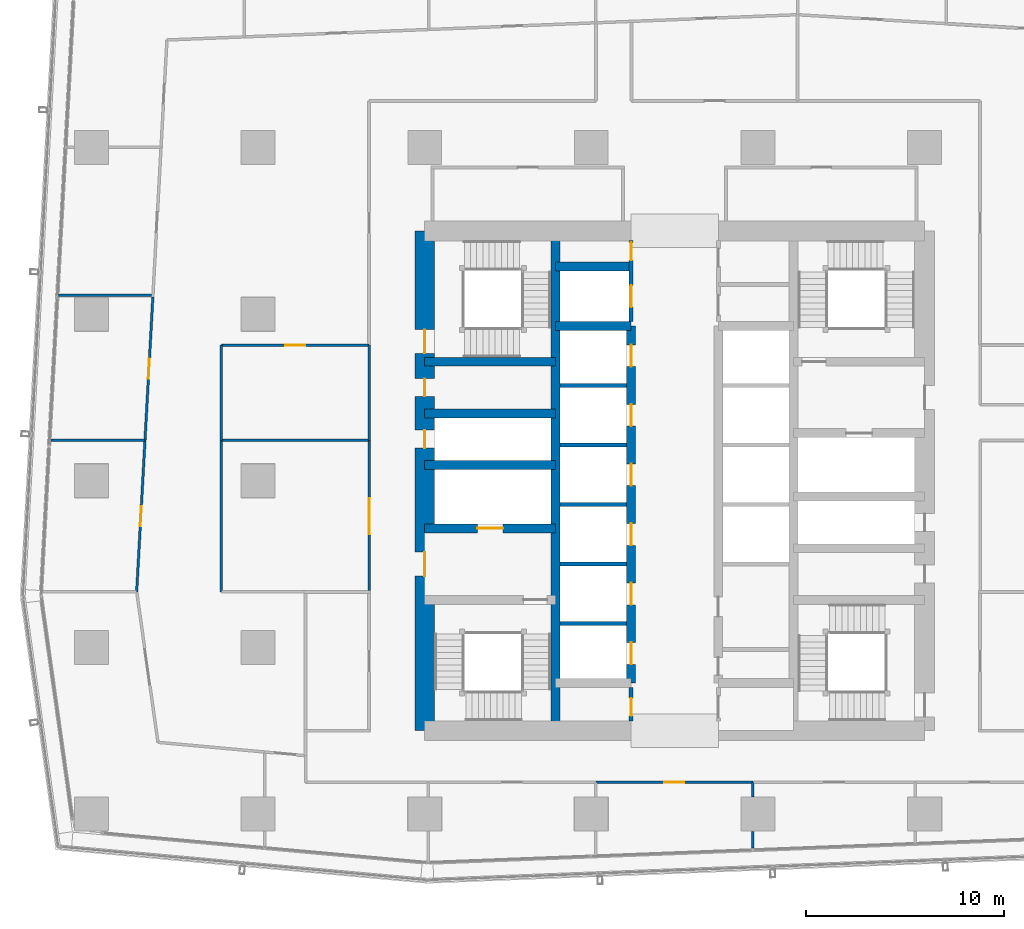
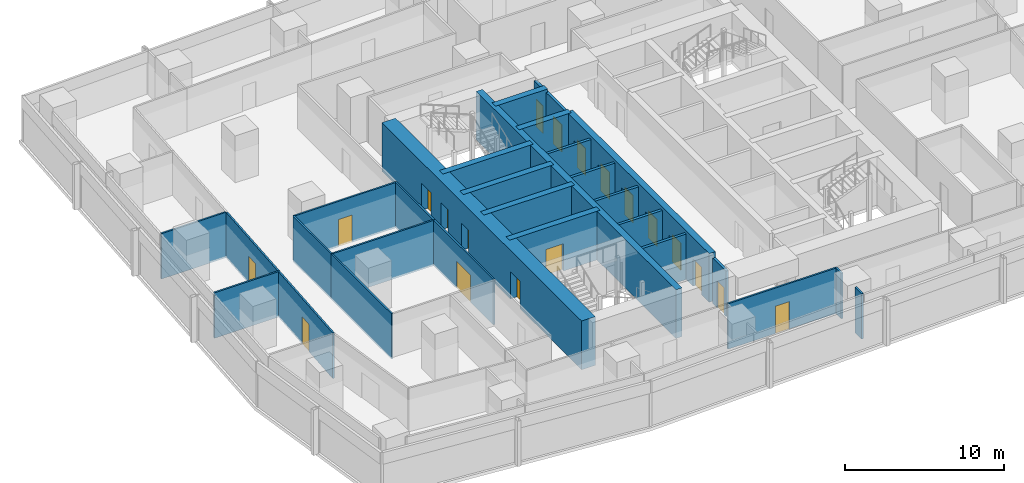
# One storey, part 29 of 40: 29 walls, 19 doors, 19 openings.
"""IFC4 building model written with IfcOpenShell, lengths in metres."""

from ifc_helpers import new_model, si_unit, direction, frame, frame_2d, origin, place, context, subcontext, project, spatial, rectangle, extrude, material, layer, layer_set, type_object, element, fill, save


model = new_model("IFC4")

# Units and contexts
model_context = context("Model", 3, precision=1e-05, world=origin(), true_north=direction((0.0, 1.0)))
body_context = subcontext(model_context, "Body", "Model", "MODEL_VIEW")
ifc_project = project(units=[si_unit("LENGTHUNIT", "METRE"), si_unit("AREAUNIT", "SQUARE_METRE"), si_unit("VOLUMEUNIT", "CUBIC_METRE"), si_unit("PLANEANGLEUNIT", "RADIAN"), si_unit("MASSUNIT", "GRAM", prefix="KILO")], contexts=[model_context])

# Site, building, storey
site_placement = place(None, origin())
site = spatial("IfcSite", under=ifc_project, at=site_placement, CompositionType="ELEMENT")
building_placement = place(site_placement, origin())
building = spatial("IfcBuilding", under=site, at=building_placement, Name="Rekha Terrace Tower", CompositionType="ELEMENT")
storey_placement = place(building_placement, frame((0.0, 0.0, 117.800048828125)))
storey = spatial("IfcBuildingStorey", under=building, at=storey_placement, Name="L29", CompositionType="ELEMENT", Elevation=117.800048828125)

# Wall
ifc_material_1 = material(Name="Concrete M70", Category="concrete")
ifc_layer_1 = layer(ifc_material_1, 0.449951171875)
ifc_layer_set_1 = layer_set([ifc_layer_1], Name="Concrete M70")
wall_type_1 = type_object("IfcWallType", Name="CI2 450 core internal shear wall", PredefinedType="SHEAR", material=ifc_layer_set_1)
wall_1_placement = place(storey_placement, frame((31.800048828125, 21.0, 0.0), z_axis=(0.0, 0.0, 1.0), x_axis=(0.0, 1.0, 0.0)))
element("IfcWall", 1, at=wall_1_placement, inside=storey, type_object=wall_type_1, Name="Core wall X318 L29", PredefinedType="SHEAR", context=body_context, shape_type="SweptSolid", body=[
    extrude(rectangle(XDim=25.199951171875, YDim=0.449951171875, at=frame_2d((12.60009765625, 0.0))), origin(), (0.0, 0.0, 1.0), 3.75),
])

# Wall, openings, doors
wall_2_placement = place(storey_placement, frame((35.60009765625, 23.39990234375, 0.0), z_axis=(0.0, 0.0, 1.0), x_axis=(0.0, 1.0, 0.0)))
wall_2 = element("IfcWall", 2, at=wall_2_placement, inside=storey, type_object=wall_type_1, Name="Core wall X356 L29", PredefinedType="SHEAR", context=body_context, shape_type="SweptSolid", body=[
    extrude(rectangle(XDim=18.0, YDim=0.449951171875, at=frame_2d((9.0, 0.0))), origin(), (0.0, 0.0, 1.0), 3.75),
])
opening_1_placement = place(wall_2_placement, frame((0.949951171875, 0.0, 0.0)))
opening_1 = element("IfcOpeningElement", 3, at=opening_1_placement, cuts=wall_2, Name="Opening LD1", PredefinedType="OPENING", context=body_context, shape_type="SweptSolid", body=[
    extrude(rectangle(XDim=1.10009765625, YDim=2.10009765625, at=frame_2d((0.550048828125, 1.050048828125))), frame((0.0, 0.23486328125, 0.0), z_axis=(0.0, -1.0, 0.0), x_axis=(1.0, 0.0, 0.0)), (0.0, 0.0, 1.0), 0.469970703125),
])
opening_2_placement = place(wall_2_placement, frame((3.949951171875, 0.0, 0.0)))
opening_2 = element("IfcOpeningElement", 4, at=opening_2_placement, cuts=wall_2, Name="Opening LD1", PredefinedType="OPENING", context=body_context, shape_type="SweptSolid", body=[
    extrude(rectangle(XDim=1.10009765625, YDim=2.10009765625, at=frame_2d((0.550048828125, 1.050048828125))), frame((0.0, 0.23486328125, 0.0), z_axis=(0.0, -1.0, 0.0), x_axis=(1.0, 0.0, 0.0)), (0.0, 0.0, 1.0), 0.469970703125),
])
opening_3_placement = place(wall_2_placement, frame((6.949951171875, 0.0, 0.0)))
opening_3 = element("IfcOpeningElement", 5, at=opening_3_placement, cuts=wall_2, Name="Opening LD1", PredefinedType="OPENING", context=body_context, shape_type="SweptSolid", body=[
    extrude(rectangle(XDim=1.10009765625, YDim=2.10009765625, at=frame_2d((0.550048828125, 1.050048828125))), frame((0.0, 0.23486328125, 0.0), z_axis=(0.0, -1.0, 0.0), x_axis=(1.0, 0.0, 0.0)), (0.0, 0.0, 1.0), 0.469970703125),
])
opening_4_placement = place(wall_2_placement, frame((9.949951171875, 0.0, 0.0)))
opening_4 = element("IfcOpeningElement", 6, at=opening_4_placement, cuts=wall_2, Name="Opening LD1", PredefinedType="OPENING", context=body_context, shape_type="SweptSolid", body=[
    extrude(rectangle(XDim=1.10009765625, YDim=2.10009765625, at=frame_2d((0.550048828125, 1.050048828125))), frame((0.0, 0.23486328125, 0.0), z_axis=(0.0, -1.0, 0.0), x_axis=(1.0, 0.0, 0.0)), (0.0, 0.0, 1.0), 0.469970703125),
])
opening_5_placement = place(wall_2_placement, frame((12.949951171875, 0.0, 0.0)))
opening_5 = element("IfcOpeningElement", 7, at=opening_5_placement, cuts=wall_2, Name="Opening LD1", PredefinedType="OPENING", context=body_context, shape_type="SweptSolid", body=[
    extrude(rectangle(XDim=1.10009765625, YDim=2.10009765625, at=frame_2d((0.550048828125, 1.050048828125))), frame((0.0, 0.23486328125, 0.0), z_axis=(0.0, -1.0, 0.0), x_axis=(1.0, 0.0, 0.0)), (0.0, 0.0, 1.0), 0.469970703125),
])
opening_6_placement = place(wall_2_placement, frame((15.949951171875, 0.0, 0.0)))
opening_6 = element("IfcOpeningElement", 8, at=opening_6_placement, cuts=wall_2, Name="Opening LD1", PredefinedType="OPENING", context=body_context, shape_type="SweptSolid", body=[
    extrude(rectangle(XDim=1.10009765625, YDim=2.10009765625, at=frame_2d((0.550048828125, 1.050048828125))), frame((0.0, 0.23486328125, 0.0), z_axis=(0.0, -1.0, 0.0), x_axis=(1.0, 0.0, 0.0)), (0.0, 0.0, 1.0), 0.469970703125),
])
ifc_material_2 = material(Name="Stainless steel sliding landing door", Category="steel")
door_type_1 = type_object("IfcDoorType", Name="LD1 1100x2100 lift landing door", OperationType="SLIDING_TO_LEFT", PredefinedType="USERDEFINED", material=ifc_material_2)
door_1_placement = place(opening_1_placement, origin())
door_1 = element("IfcDoor", 9, at=door_1_placement, inside=storey, type_object=door_type_1, Name="Lift B1 landing door L29", ObjectType="LIFT LANDING DOOR", OperationType="SLIDING_TO_LEFT", OverallHeight=2.10009765625, OverallWidth=1.10009765625, PredefinedType="USERDEFINED", context=body_context, shape_type="SweptSolid", body=[
    extrude(rectangle(XDim=1.10009765625, YDim=2.10009765625, at=frame_2d((0.550048828125, 1.050048828125))), frame((0.0, 0.02490234375, 0.0), z_axis=(0.0, -1.0, 0.0), x_axis=(1.0, 0.0, 0.0)), (0.0, 0.0, 1.0), 0.050048828125),
])
fill(opening_1, door_1)
door_2_placement = place(opening_2_placement, origin())
door_2 = element("IfcDoor", 10, at=door_2_placement, inside=storey, type_object=door_type_1, Name="Lift B2 landing door L29", ObjectType="LIFT LANDING DOOR", OperationType="SLIDING_TO_LEFT", OverallHeight=2.10009765625, OverallWidth=1.10009765625, PredefinedType="USERDEFINED", context=body_context, shape_type="SweptSolid", body=[
    extrude(rectangle(XDim=1.10009765625, YDim=2.10009765625, at=frame_2d((0.550048828125, 1.050048828125))), frame((0.0, 0.02490234375, 0.0), z_axis=(0.0, -1.0, 0.0), x_axis=(1.0, 0.0, 0.0)), (0.0, 0.0, 1.0), 0.050048828125),
])
fill(opening_2, door_2)
door_3_placement = place(opening_3_placement, origin())
door_3 = element("IfcDoor", 11, at=door_3_placement, inside=storey, type_object=door_type_1, Name="Lift B3 landing door L29", ObjectType="LIFT LANDING DOOR", OperationType="SLIDING_TO_LEFT", OverallHeight=2.10009765625, OverallWidth=1.10009765625, PredefinedType="USERDEFINED", context=body_context, shape_type="SweptSolid", body=[
    extrude(rectangle(XDim=1.10009765625, YDim=2.10009765625, at=frame_2d((0.550048828125, 1.050048828125))), frame((0.0, 0.02490234375, 0.0), z_axis=(0.0, -1.0, 0.0), x_axis=(1.0, 0.0, 0.0)), (0.0, 0.0, 1.0), 0.050048828125),
])
fill(opening_3, door_3)
door_4_placement = place(opening_4_placement, origin())
door_4 = element("IfcDoor", 12, at=door_4_placement, inside=storey, type_object=door_type_1, Name="Lift B4 landing door L29", ObjectType="LIFT LANDING DOOR", OperationType="SLIDING_TO_LEFT", OverallHeight=2.10009765625, OverallWidth=1.10009765625, PredefinedType="USERDEFINED", context=body_context, shape_type="SweptSolid", body=[
    extrude(rectangle(XDim=1.10009765625, YDim=2.10009765625, at=frame_2d((0.550048828125, 1.050048828125))), frame((0.0, 0.02490234375, 0.0), z_axis=(0.0, -1.0, 0.0), x_axis=(1.0, 0.0, 0.0)), (0.0, 0.0, 1.0), 0.050048828125),
])
fill(opening_4, door_4)
door_5_placement = place(opening_5_placement, origin())
door_5 = element("IfcDoor", 13, at=door_5_placement, inside=storey, type_object=door_type_1, Name="Lift B5 landing door L29", ObjectType="LIFT LANDING DOOR", OperationType="SLIDING_TO_LEFT", OverallHeight=2.10009765625, OverallWidth=1.10009765625, PredefinedType="USERDEFINED", context=body_context, shape_type="SweptSolid", body=[
    extrude(rectangle(XDim=1.10009765625, YDim=2.10009765625, at=frame_2d((0.550048828125, 1.050048828125))), frame((0.0, 0.02490234375, 0.0), z_axis=(0.0, -1.0, 0.0), x_axis=(1.0, 0.0, 0.0)), (0.0, 0.0, 1.0), 0.050048828125),
])
fill(opening_5, door_5)
door_6_placement = place(opening_6_placement, origin())
door_6 = element("IfcDoor", 14, at=door_6_placement, inside=storey, type_object=door_type_1, Name="Lift B6 landing door L29", ObjectType="LIFT LANDING DOOR", OperationType="SLIDING_TO_LEFT", OverallHeight=2.10009765625, OverallWidth=1.10009765625, PredefinedType="USERDEFINED", context=body_context, shape_type="SweptSolid", body=[
    extrude(rectangle(XDim=1.10009765625, YDim=2.10009765625, at=frame_2d((0.550048828125, 1.050048828125))), frame((0.0, 0.02490234375, 0.0), z_axis=(0.0, -1.0, 0.0), x_axis=(1.0, 0.0, 0.0)), (0.0, 0.0, 1.0), 0.050048828125),
])
fill(opening_6, door_6)

# Walls
for number, where, z_axis, x_axis, name in (
    (15, (31.800048828125, 41.39990234375, 0.0), (0.0, 0.0, 1.0), (1.0, 0.0, 0.0), "Core wall Y414W L29"),
    (16, (31.800048828125, 44.39990234375, 0.0), (0.0, 0.0, 1.0), (1.0, 0.0, 0.0), "Core wall Y444W L29"),
):
    element("IfcWall", number, at=place(storey_placement, frame(where, z_axis=z_axis, x_axis=x_axis)), inside=storey, type_object=wall_type_1, Name=name, PredefinedType="SHEAR", context=body_context, shape_type="SweptSolid", body=[
        extrude(rectangle(XDim=3.800048828125, YDim=0.449951171875, at=frame_2d((1.89990234375, 0.0))), origin(), (0.0, 0.0, 1.0), 3.75),
    ])

# Wall, opening, door
wall_3_placement = place(storey_placement, frame((25.199951171875, 31.199951171875, 0.0), z_axis=(0.0, 0.0, 1.0), x_axis=(1.0, 0.0, 0.0)))
wall_3 = element("IfcWall", 17, at=wall_3_placement, inside=storey, type_object=wall_type_1, Name="Core wall Y312W L29", PredefinedType="SHEAR", context=body_context, shape_type="SweptSolid", body=[
    extrude(rectangle(XDim=6.60009765625, YDim=0.449951171875, at=frame_2d((3.300048828125, 0.0))), origin(), (0.0, 0.0, 1.0), 3.75),
])
opening_7_placement = place(wall_3_placement, frame((2.64990234375, 0.0, 0.0)))
opening_7 = element("IfcOpeningElement", 18, at=opening_7_placement, cuts=wall_3, Name="Opening LD2", PredefinedType="OPENING", context=body_context, shape_type="SweptSolid", body=[
    extrude(rectangle(XDim=1.300048828125, YDim=2.10009765625, at=frame_2d((0.64990234375, 1.050048828125))), frame((0.0, 0.23486328125, 0.0), z_axis=(0.0, -1.0, 0.0), x_axis=(1.0, 0.0, 0.0)), (0.0, 0.0, 1.0), 0.469970703125),
])
door_type_2 = type_object("IfcDoorType", Name="LD2 1300x2100 fire lift landing door", OperationType="SLIDING_TO_LEFT", PredefinedType="USERDEFINED", material=ifc_material_2)
door_7_placement = place(opening_7_placement, origin())
door_7 = element("IfcDoor", 19, at=door_7_placement, inside=storey, type_object=door_type_2, Name="Lift FL1 landing door L29", ObjectType="LIFT LANDING DOOR", OperationType="SLIDING_TO_LEFT", OverallHeight=2.10009765625, OverallWidth=1.300048828125, PredefinedType="USERDEFINED", context=body_context, shape_type="SweptSolid", body=[
    extrude(rectangle(XDim=1.300048828125, YDim=2.10009765625, at=frame_2d((0.64990234375, 1.050048828125))), frame((0.0, 0.02490234375, 0.0), z_axis=(0.0, -1.0, 0.0), x_axis=(1.0, 0.0, 0.0)), (0.0, 0.0, 1.0), 0.050048828125),
])
fill(opening_7, door_7)

# Walls
for number, where, z_axis, x_axis, name in (
    (20, (25.199951171875, 34.39990234375, 0.0), (0.0, 0.0, 1.0), (1.0, 0.0, 0.0), "Core wall Y344W L29"),
    (21, (25.199951171875, 37.0, 0.0), (0.0, 0.0, 1.0), (1.0, 0.0, 0.0), "Core wall Y370W L29"),
    (22, (25.199951171875, 39.60009765625, 0.0), (0.0, 0.0, 1.0), (1.0, 0.0, 0.0), "Core wall Y396W L29"),
):
    element("IfcWall", number, at=place(storey_placement, frame(where, z_axis=z_axis, x_axis=x_axis)), inside=storey, type_object=wall_type_1, Name=name, PredefinedType="SHEAR", context=body_context, shape_type="SweptSolid", body=[
        extrude(rectangle(XDim=6.60009765625, YDim=0.449951171875, at=frame_2d((3.300048828125, 0.0))), origin(), (0.0, 0.0, 1.0), 3.75),
    ])

# Wall, openings, doors
ifc_layer_2 = layer(ifc_material_1, 1.0)
ifc_layer_set_2 = layer_set([ifc_layer_2], Name="Concrete M70")
wall_type_2 = type_object("IfcWallType", Name="SW2 1000 core outer shear wall", PredefinedType="SHEAR", material=ifc_layer_set_2)
wall_4_placement = place(storey_placement, frame((25.199951171875, 21.0, 0.0), z_axis=(0.0, 0.0, 1.0), x_axis=(0.0, 1.0, 0.0)))
wall_4 = element("IfcWall", 23, at=wall_4_placement, inside=storey, type_object=wall_type_2, Name="Core wall W L29", PredefinedType="SHEAR", context=body_context, shape_type="SweptSolid", body=[
    extrude(rectangle(XDim=25.199951171875, YDim=1.0, at=frame_2d((12.60009765625, 0.0))), origin(), (0.0, 0.0, 1.0), 3.75),
])
opening_8_placement = place(wall_4_placement, frame((7.800048828125, 0.0, 0.0)))
opening_8 = element("IfcOpeningElement", 24, at=opening_8_placement, cuts=wall_4, Name="Opening D2", PredefinedType="OPENING", context=body_context, shape_type="SweptSolid", body=[
    extrude(rectangle(XDim=1.199951171875, YDim=2.10009765625, at=frame_2d((0.60009765625, 1.050048828125))), frame((0.0, 0.510009765625, 0.0), z_axis=(0.0, -1.0, 0.0), x_axis=(1.0, 0.0, 0.0)), (0.0, 0.0, 1.0), 1.02001953125),
])
opening_9_placement = place(wall_4_placement, frame((14.25, 0.0, 0.0)))
opening_9 = element("IfcOpeningElement", 25, at=opening_9_placement, cuts=wall_4, Name="Opening D5", PredefinedType="OPENING", context=body_context, shape_type="SweptSolid", body=[
    extrude(rectangle(XDim=0.89990234375, YDim=2.10009765625, at=frame_2d((0.449951171875, 1.050048828125))), frame((0.0, 0.510009765625, 0.0), z_axis=(0.0, -1.0, 0.0), x_axis=(1.0, 0.0, 0.0)), (0.0, 0.0, 1.0), 1.02001953125),
])
opening_10_placement = place(wall_4_placement, frame((16.85009765625, 0.0, 0.0)))
opening_10 = element("IfcOpeningElement", 26, at=opening_10_placement, cuts=wall_4, Name="Opening D5", PredefinedType="OPENING", context=body_context, shape_type="SweptSolid", body=[
    extrude(rectangle(XDim=0.89990234375, YDim=2.10009765625, at=frame_2d((0.449951171875, 1.050048828125))), frame((0.0, 0.510009765625, 0.0), z_axis=(0.0, -1.0, 0.0), x_axis=(1.0, 0.0, 0.0)), (0.0, 0.0, 1.0), 1.02001953125),
])
opening_11_placement = place(wall_4_placement, frame((19.02490234375, 0.0, 0.0)))
opening_11 = element("IfcOpeningElement", 27, at=opening_11_placement, cuts=wall_4, Name="Opening D1", PredefinedType="OPENING", context=body_context, shape_type="SweptSolid", body=[
    extrude(rectangle(XDim=1.199951171875, YDim=2.10009765625, at=frame_2d((0.60009765625, 1.050048828125))), frame((0.0, 0.510009765625, 0.0), z_axis=(0.0, -1.0, 0.0), x_axis=(1.0, 0.0, 0.0)), (0.0, 0.0, 1.0), 1.02001953125),
])
ifc_material_3 = material(Name="Steel fire door", Category="steel")
door_type_3 = type_object("IfcDoorType", Name="D1 1200x2100 stair fire door", OperationType="SINGLE_SWING_RIGHT", PredefinedType="DOOR", material=ifc_material_3)
door_8_placement = place(opening_11_placement, origin())
door_8 = element("IfcDoor", 28, at=door_8_placement, inside=storey, type_object=door_type_3, Name="Stair ST4 door L29", OperationType="SINGLE_SWING_RIGHT", OverallHeight=2.10009765625, OverallWidth=1.199951171875, PredefinedType="DOOR", context=body_context, shape_type="SweptSolid", body=[
    extrude(rectangle(XDim=1.199951171875, YDim=2.10009765625, at=frame_2d((0.60009765625, 1.050048828125))), frame((0.0, 0.02490234375, 0.0), z_axis=(0.0, -1.0, 0.0), x_axis=(1.0, 0.0, 0.0)), (0.0, 0.0, 1.0), 0.050048828125),
])
fill(opening_11, door_8)
door_type_4 = type_object("IfcDoorType", Name="D2 1200x2100 firefighting lobby door", OperationType="SINGLE_SWING_LEFT", PredefinedType="DOOR", material=ifc_material_3)
door_9_placement = place(opening_8_placement, origin())
door_9 = element("IfcDoor", 29, at=door_9_placement, inside=storey, type_object=door_type_4, Name="Door flb1 L29", OperationType="SINGLE_SWING_LEFT", OverallHeight=2.10009765625, OverallWidth=1.199951171875, PredefinedType="DOOR", context=body_context, shape_type="SweptSolid", body=[
    extrude(rectangle(XDim=1.199951171875, YDim=2.10009765625, at=frame_2d((0.60009765625, 1.050048828125))), frame((0.0, 0.02490234375, 0.0), z_axis=(0.0, -1.0, 0.0), x_axis=(1.0, 0.0, 0.0)), (0.0, 0.0, 1.0), 0.050048828125),
])
fill(opening_8, door_9)
door_type_5 = type_object("IfcDoorType", Name="D5 900x2100 riser access door", OperationType="SINGLE_SWING_LEFT", PredefinedType="DOOR", material=ifc_material_3)
door_10_placement = place(opening_9_placement, origin())
door_10 = element("IfcDoor", 30, at=door_10_placement, inside=storey, type_object=door_type_5, Name="Door rs1 L29", OperationType="SINGLE_SWING_LEFT", OverallHeight=2.10009765625, OverallWidth=0.89990234375, PredefinedType="DOOR", context=body_context, shape_type="SweptSolid", body=[
    extrude(rectangle(XDim=0.89990234375, YDim=2.10009765625, at=frame_2d((0.449951171875, 1.050048828125))), frame((0.0, 0.02490234375, 0.0), z_axis=(0.0, -1.0, 0.0), x_axis=(1.0, 0.0, 0.0)), (0.0, 0.0, 1.0), 0.050048828125),
])
fill(opening_9, door_10)
door_11_placement = place(opening_10_placement, origin())
door_11 = element("IfcDoor", 31, at=door_11_placement, inside=storey, type_object=door_type_5, Name="Door elw L29", OperationType="SINGLE_SWING_LEFT", OverallHeight=2.10009765625, OverallWidth=0.89990234375, PredefinedType="DOOR", context=body_context, shape_type="SweptSolid", body=[
    extrude(rectangle(XDim=0.89990234375, YDim=2.10009765625, at=frame_2d((0.449951171875, 1.050048828125))), frame((0.0, 0.02490234375, 0.0), z_axis=(0.0, -1.0, 0.0), x_axis=(1.0, 0.0, 0.0)), (0.0, 0.0, 1.0), 0.050048828125),
])
fill(opening_10, door_11)

# Walls
ifc_material_4 = material(Name="Two layers of fire-rated gypsum board each side on steel studs, acoustic quilt, 1 hour", Category="steel")
ifc_layer_3 = layer(ifc_material_4, 0.125)
ifc_layer_set_3 = layer_set([ifc_layer_3], Name="Two layers of fire-rated gypsum board each side on steel studs, acoustic quilt, 1 hour")
wall_type_3 = type_object("IfcWallType", Name="WP3 125 office partition", PredefinedType="PARTITIONING", material=ifc_layer_set_3)
wall_5_placement = place(storey_placement, frame((41.740966796875, 15.080078125, 0.0), z_axis=(0.0, 0.0, 1.0), x_axis=(0.0, 1.0, 0.0)))
element("IfcWall", 32, at=wall_5_placement, inside=storey, type_object=wall_type_3, Name="Partition L29-02", PredefinedType="PARTITIONING", context=body_context, shape_type="SweptSolid", body=[
    extrude(rectangle(XDim=0.849853515625, YDim=0.125, at=frame_2d((0.4248046875, 0.0))), origin(), (0.0, 0.0, 1.0), 3.5),
])
wall_6_placement = place(storey_placement, frame((41.740966796875, 17.669921875, 0.0), z_axis=(0.0, 0.0, 1.0), x_axis=(0.0, 1.0, 0.0)))
element("IfcWall", 33, at=wall_6_placement, inside=storey, type_object=wall_type_3, Name="Partition L29-02", PredefinedType="PARTITIONING", context=body_context, shape_type="SweptSolid", body=[
    extrude(rectangle(XDim=0.72998046875, YDim=0.125, at=frame_2d((0.364990234375, 0.0))), origin(), (0.0, 0.0, 1.0), 3.5),
])
wall_7_placement = place(storey_placement, frame((11.43798828125, 42.943115234375, 0.0), z_axis=(0.0, 0.0, 1.0), x_axis=(-1.0, 0.0, 0.0)))
element("IfcWall", 34, at=wall_7_placement, inside=storey, type_object=wall_type_3, Name="Partition L29-17", PredefinedType="PARTITIONING", context=body_context, shape_type="SweptSolid", body=[
    extrude(rectangle(XDim=4.694091796875, YDim=0.125, at=frame_2d((2.34716796875, 0.0))), origin(), (0.0, 0.0, 1.0), 3.5),
])

# Wall, opening, door
wall_8_placement = place(storey_placement, frame((11.4970703125, 42.8720703125, 0.0), z_axis=(0.0, 0.0, 1.0), x_axis=(-0.054770412321, -0.998498974428, 0.0)))
wall_8 = element("IfcWall", 35, at=wall_8_placement, inside=storey, type_object=wall_type_3, Name="Partition L29-18", PredefinedType="PARTITIONING", context=body_context, shape_type="SweptSolid", body=[
    extrude(rectangle(XDim=7.248046875, YDim=0.125, at=frame_2d((3.6240234375, 0.0))), origin(), (0.0, 0.0, 1.0), 3.5),
])
opening_12_placement = place(wall_8_placement, frame((3.1240234375, 0.0, 0.0)))
opening_12 = element("IfcOpeningElement", 36, at=opening_12_placement, cuts=wall_8, Name="Opening D9", PredefinedType="OPENING", context=body_context, shape_type="SweptSolid", body=[
    extrude(rectangle(XDim=1.0, YDim=2.10009765625, at=frame_2d((0.5, 1.050048828125))), frame((0.0, 0.072509765625, 0.0), z_axis=(0.0, -1.0, 0.0), x_axis=(1.0, 0.0, 0.0)), (0.0, 0.0, 1.0), 0.14501953125),
])
ifc_material_5 = material(Name="Timber fire door", Category="wood")
door_type_6 = type_object("IfcDoorType", Name="D9 1000x2100 office door", OperationType="SINGLE_SWING_LEFT", PredefinedType="DOOR", material=ifc_material_5)
door_12_placement = place(opening_12_placement, origin())
door_12 = element("IfcDoor", 37, at=door_12_placement, inside=storey, type_object=door_type_6, Name="Door breakout lounge L29", OperationType="SINGLE_SWING_LEFT", OverallHeight=2.10009765625, OverallWidth=1.0, PredefinedType="DOOR", context=body_context, shape_type="SweptSolid", body=[
    extrude(rectangle(XDim=1.0, YDim=2.10009765625, at=frame_2d((0.5, 1.050048828125))), frame((0.0, 0.02490234375, 0.0), z_axis=(0.0, -1.0, 0.0), x_axis=(1.0, 0.0, 0.0)), (0.0, 0.0, 1.0), 0.050048828125),
])
fill(opening_12, door_12)

# Wall
wall_9_placement = place(storey_placement, frame((11.10009765625, 35.635009765625, 0.0), z_axis=(0.0, 0.0, 1.0), x_axis=(-1.0, 0.0, 0.0)))
element("IfcWall", 38, at=wall_9_placement, inside=storey, type_object=wall_type_3, Name="Partition L29-18", PredefinedType="PARTITIONING", context=body_context, shape_type="SweptSolid", body=[
    extrude(rectangle(XDim=4.72705078125, YDim=0.125, at=frame_2d((2.363525390625, 0.0))), origin(), (0.0, 0.0, 1.0), 3.5),
])

# Wall, opening, door
wall_10_placement = place(storey_placement, frame((11.10009765625, 35.634033203125, 0.0), z_axis=(0.0, 0.0, 1.0), x_axis=(-0.054828018509, -0.998495812904, 0.0)))
wall_10 = element("IfcWall", 39, at=wall_10_placement, inside=storey, type_object=wall_type_3, Name="Partition L29-19", PredefinedType="PARTITIONING", context=body_context, shape_type="SweptSolid", body=[
    extrude(rectangle(XDim=7.6455078125, YDim=0.125, at=frame_2d((3.82275390625, 0.0))), origin(), (0.0, 0.0, 1.0), 3.5),
])
opening_13_placement = place(wall_10_placement, frame((3.322998046875, 0.0, 0.0)))
opening_13 = element("IfcOpeningElement", 40, at=opening_13_placement, cuts=wall_10, Name="Opening D9", PredefinedType="OPENING", context=body_context, shape_type="SweptSolid", body=[
    extrude(rectangle(XDim=1.0, YDim=2.10009765625, at=frame_2d((0.5, 1.050048828125))), frame((0.0, 0.072509765625, 0.0), z_axis=(0.0, -1.0, 0.0), x_axis=(1.0, 0.0, 0.0)), (0.0, 0.0, 1.0), 0.14501953125),
])
door_13_placement = place(opening_13_placement, origin())
door_13 = element("IfcDoor", 41, at=door_13_placement, inside=storey, type_object=door_type_6, Name="Door meeting room L29", OperationType="SINGLE_SWING_LEFT", OverallHeight=2.10009765625, OverallWidth=1.0, PredefinedType="DOOR", context=body_context, shape_type="SweptSolid", body=[
    extrude(rectangle(XDim=1.0, YDim=2.10009765625, at=frame_2d((0.5, 1.050048828125))), frame((0.0, 0.02490234375, 0.0), z_axis=(0.0, -1.0, 0.0), x_axis=(1.0, 0.0, 0.0)), (0.0, 0.0, 1.0), 0.050048828125),
])
fill(opening_13, door_13)

wall_11_placement = place(storey_placement, frame((33.825927734375, 18.39990234375, 0.0), z_axis=(0.0, 0.0, 1.0), x_axis=(1.0, 0.0, 0.0)))
wall_11 = element("IfcWall", 42, at=wall_11_placement, inside=storey, type_object=wall_type_3, Name="Partition L29-23", PredefinedType="PARTITIONING", context=body_context, shape_type="SweptSolid", body=[
    extrude(rectangle(XDim=7.9140625, YDim=0.125, at=frame_2d((3.95703125, 0.0))), origin(), (0.0, 0.0, 1.0), 3.5),
])
opening_14_placement = place(wall_11_placement, frame((3.45703125, 0.0, 0.0)))
opening_14 = element("IfcOpeningElement", 43, at=opening_14_placement, cuts=wall_11, Name="Opening D9", PredefinedType="OPENING", context=body_context, shape_type="SweptSolid", body=[
    extrude(rectangle(XDim=1.0, YDim=2.10009765625, at=frame_2d((0.5, 1.050048828125))), frame((0.0, 0.072509765625, 0.0), z_axis=(0.0, -1.0, 0.0), x_axis=(1.0, 0.0, 0.0)), (0.0, 0.0, 1.0), 0.14501953125),
])
door_14_placement = place(opening_14_placement, origin())
door_14 = element("IfcDoor", 44, at=door_14_placement, inside=storey, type_object=door_type_6, Name="Door meeting room L29", OperationType="SINGLE_SWING_LEFT", OverallHeight=2.10009765625, OverallWidth=1.0, PredefinedType="DOOR", context=body_context, shape_type="SweptSolid", body=[
    extrude(rectangle(XDim=1.0, YDim=2.10009765625, at=frame_2d((0.5, 1.050048828125))), frame((0.0, 0.02490234375, 0.0), z_axis=(0.0, -1.0, 0.0), x_axis=(1.0, 0.0, 0.0)), (0.0, 0.0, 1.0), 0.050048828125),
])
fill(opening_14, door_14)

# Walls
wall_12_placement = place(storey_placement, frame((14.949951171875, 28.0, 0.0), z_axis=(0.0, 0.0, 1.0), x_axis=(0.0, 1.0, 0.0)))
element("IfcWall", 45, at=wall_12_placement, inside=storey, type_object=wall_type_3, Name="Partition L29-24", PredefinedType="PARTITIONING", context=body_context, shape_type="SweptSolid", body=[
    extrude(rectangle(XDim=7.634033203125, YDim=0.125, at=frame_2d((3.81689453125, 0.0))), origin(), (0.0, 0.0, 1.0), 3.5),
])
wall_13_placement = place(storey_placement, frame((14.949951171875, 35.634033203125, 0.0), z_axis=(0.0, 0.0, 1.0), x_axis=(1.0, 0.0, 0.0)))
element("IfcWall", 46, at=wall_13_placement, inside=storey, type_object=wall_type_3, Name="Partition L29-24", PredefinedType="PARTITIONING", context=body_context, shape_type="SweptSolid", body=[
    extrude(rectangle(XDim=7.449951171875, YDim=0.125, at=frame_2d((3.72509765625, 0.0))), origin(), (0.0, 0.0, 1.0), 3.5),
])

# Wall, opening, door
wall_14_placement = place(storey_placement, frame((22.39990234375, 35.634033203125, 0.0), z_axis=(0.0, 0.0, 1.0), x_axis=(0.0, -1.0, 0.0)))
wall_14 = element("IfcWall", 47, at=wall_14_placement, inside=storey, type_object=wall_type_3, Name="Partition L29-24", PredefinedType="PARTITIONING", context=body_context, shape_type="SweptSolid", body=[
    extrude(rectangle(XDim=7.55908203125, YDim=0.125, at=frame_2d((3.779541015625, 0.0))), origin(), (0.0, 0.0, 1.0), 3.5),
])
opening_15_placement = place(wall_14_placement, frame((2.9169921875, 0.0, 0.0)))
opening_15 = element("IfcOpeningElement", 48, at=opening_15_placement, cuts=wall_14, Name="Opening D8", PredefinedType="OPENING", context=body_context, shape_type="SweptSolid", body=[
    extrude(rectangle(XDim=1.800048828125, YDim=2.10009765625, at=frame_2d((0.89990234375, 1.050048828125))), frame((0.0, 0.072509765625, 0.0), z_axis=(0.0, -1.0, 0.0), x_axis=(1.0, 0.0, 0.0)), (0.0, 0.0, 1.0), 0.14501953125),
])
door_type_7 = type_object("IfcDoorType", Name="D8 1800x2100 double leaf door", OperationType="DOUBLE_DOOR_SINGLE_SWING", PredefinedType="DOOR", material=ifc_material_5)
door_15_placement = place(opening_15_placement, origin())
door_15 = element("IfcDoor", 49, at=door_15_placement, inside=storey, type_object=door_type_7, Name="Door reception L29", OperationType="DOUBLE_DOOR_SINGLE_SWING", OverallHeight=2.10009765625, OverallWidth=1.800048828125, PredefinedType="DOOR", context=body_context, shape_type="SweptSolid", body=[
    extrude(rectangle(XDim=1.800048828125, YDim=2.10009765625, at=frame_2d((0.89990234375, 1.050048828125))), frame((0.0, 0.02490234375, 0.0), z_axis=(0.0, -1.0, 0.0), x_axis=(1.0, 0.0, 0.0)), (0.0, 0.0, 1.0), 0.050048828125),
])
fill(opening_15, door_15)

# Wall
wall_15_placement = place(storey_placement, frame((14.949951171875, 35.634033203125, 0.0), z_axis=(0.0, 0.0, 1.0), x_axis=(0.0, 1.0, 0.0)))
element("IfcWall", 50, at=wall_15_placement, inside=storey, type_object=wall_type_3, Name="Partition L29-25", PredefinedType="PARTITIONING", context=body_context, shape_type="SweptSolid", body=[
    extrude(rectangle(XDim=4.800048828125, YDim=0.125, at=frame_2d((2.39990234375, 0.0))), origin(), (0.0, 0.0, 1.0), 3.5),
])

# Wall, opening, door
wall_16_placement = place(storey_placement, frame((14.949951171875, 40.43408203125, 0.0), z_axis=(0.0, 0.0, 1.0), x_axis=(1.0, 0.0, 0.0)))
wall_16 = element("IfcWall", 51, at=wall_16_placement, inside=storey, type_object=wall_type_3, Name="Partition L29-25", PredefinedType="PARTITIONING", context=body_context, shape_type="SweptSolid", body=[
    extrude(rectangle(XDim=7.449951171875, YDim=0.125, at=frame_2d((3.72509765625, 0.0))), origin(), (0.0, 0.0, 1.0), 3.5),
])
opening_16_placement = place(wall_16_placement, frame((3.22509765625, 0.0, 0.0)))
opening_16 = element("IfcOpeningElement", 52, at=opening_16_placement, cuts=wall_16, Name="Opening D9", PredefinedType="OPENING", context=body_context, shape_type="SweptSolid", body=[
    extrude(rectangle(XDim=1.0, YDim=2.10009765625, at=frame_2d((0.5, 1.050048828125))), frame((0.0, 0.072509765625, 0.0), z_axis=(0.0, -1.0, 0.0), x_axis=(1.0, 0.0, 0.0)), (0.0, 0.0, 1.0), 0.14501953125),
])
door_16_placement = place(opening_16_placement, origin())
door_16 = element("IfcDoor", 53, at=door_16_placement, inside=storey, type_object=door_type_6, Name="Door meeting room L29", OperationType="SINGLE_SWING_LEFT", OverallHeight=2.10009765625, OverallWidth=1.0, PredefinedType="DOOR", context=body_context, shape_type="SweptSolid", body=[
    extrude(rectangle(XDim=1.0, YDim=2.10009765625, at=frame_2d((0.5, 1.050048828125))), frame((0.0, 0.02490234375, 0.0), z_axis=(0.0, -1.0, 0.0), x_axis=(1.0, 0.0, 0.0)), (0.0, 0.0, 1.0), 0.050048828125),
])
fill(opening_16, door_16)

# Walls
wall_17_placement = place(storey_placement, frame((22.39990234375, 40.43408203125, 0.0), z_axis=(0.0, 0.0, 1.0), x_axis=(0.0, -1.0, 0.0)))
element("IfcWall", 54, at=wall_17_placement, inside=storey, type_object=wall_type_3, Name="Partition L29-25", PredefinedType="PARTITIONING", context=body_context, shape_type="SweptSolid", body=[
    extrude(rectangle(XDim=4.800048828125, YDim=0.125, at=frame_2d((2.39990234375, 0.0))), origin(), (0.0, 0.0, 1.0), 3.5),
])
ifc_material_6 = material(Name="Solid concrete block masonry, 2 hour", Category="masonry")
ifc_layer_4 = layer(ifc_material_6, 0.199951171875)
ifc_layer_set_4 = layer_set([ifc_layer_4], Name="Solid concrete block masonry, 2 hour")
wall_type_4 = type_object("IfcWallType", Name="WS1 200 stair and shaft enclosure", PredefinedType="PARTITIONING", material=ifc_layer_set_4)
for number, where, z_axis, x_axis, name in (
    (55, (32.02490234375, 26.39990234375, 0.0), (0.0, 0.0, 1.0), (1.0, 0.0, 0.0), "Lift shaft divider L29"),
    (56, (32.02490234375, 29.39990234375, 0.0), (0.0, 0.0, 1.0), (1.0, 0.0, 0.0), "Lift shaft divider L29"),
    (57, (32.02490234375, 32.39990234375, 0.0), (0.0, 0.0, 1.0), (1.0, 0.0, 0.0), "Lift shaft divider L29"),
    (58, (32.02490234375, 35.39990234375, 0.0), (0.0, 0.0, 1.0), (1.0, 0.0, 0.0), "Lift shaft divider L29"),
    (59, (32.02490234375, 38.39990234375, 0.0), (0.0, 0.0, 1.0), (1.0, 0.0, 0.0), "Lift shaft divider L29"),
):
    element("IfcWall", number, at=place(storey_placement, frame(where, z_axis=z_axis, x_axis=x_axis)), inside=storey, type_object=wall_type_4, Name=name, PredefinedType="PARTITIONING", context=body_context, shape_type="SweptSolid", body=[
        extrude(rectangle(XDim=3.35009765625, YDim=0.199951171875, at=frame_2d((1.675048828125, 0.0))), origin(), (0.0, 0.0, 1.0), 3.5),
    ])

# Wall, openings, doors
wall_18_placement = place(storey_placement, frame((35.60009765625, 41.625, 0.0), z_axis=(0.0, 0.0, 1.0), x_axis=(0.0, 1.0, 0.0)))
wall_18 = element("IfcWall", 60, at=wall_18_placement, inside=storey, type_object=wall_type_4, Name="Core partition jansv L29", PredefinedType="PARTITIONING", context=body_context, shape_type="SweptSolid", body=[
    extrude(rectangle(XDim=4.074951171875, YDim=0.199951171875, at=frame_2d((2.03759765625, 0.0))), origin(), (0.0, 0.0, 1.0), 3.5),
])
opening_17_placement = place(wall_18_placement, frame((3.087890625, 0.0, 0.0)))
opening_17 = element("IfcOpeningElement", 61, at=opening_17_placement, cuts=wall_18, Name="Opening D5", PredefinedType="OPENING", context=body_context, shape_type="SweptSolid", body=[
    extrude(rectangle(XDim=0.89990234375, YDim=2.10009765625, at=frame_2d((0.449951171875, 1.050048828125))), frame((0.0, 0.10986328125, 0.0), z_axis=(0.0, -1.0, 0.0), x_axis=(1.0, 0.0, 0.0)), (0.0, 0.0, 1.0), 0.219970703125),
])
opening_18_placement = place(wall_18_placement, frame((0.72509765625, 0.0, 0.0)))
opening_18 = element("IfcOpeningElement", 62, at=opening_18_placement, cuts=wall_18, Name="Opening LD1", PredefinedType="OPENING", context=body_context, shape_type="SweptSolid", body=[
    extrude(rectangle(XDim=1.10009765625, YDim=2.10009765625, at=frame_2d((0.550048828125, 1.050048828125))), frame((0.0, 0.10986328125, 0.0), z_axis=(0.0, -1.0, 0.0), x_axis=(1.0, 0.0, 0.0)), (0.0, 0.0, 1.0), 0.219970703125),
])
door_17_placement = place(opening_17_placement, origin())
door_17 = element("IfcDoor", 63, at=door_17_placement, inside=storey, type_object=door_type_5, Name="Door janitor room L29", OperationType="SINGLE_SWING_LEFT", OverallHeight=2.10009765625, OverallWidth=0.89990234375, PredefinedType="DOOR", context=body_context, shape_type="SweptSolid", body=[
    extrude(rectangle(XDim=0.89990234375, YDim=2.10009765625, at=frame_2d((0.449951171875, 1.050048828125))), frame((0.0, 0.02490234375, 0.0), z_axis=(0.0, -1.0, 0.0), x_axis=(1.0, 0.0, 0.0)), (0.0, 0.0, 1.0), 0.050048828125),
])
fill(opening_17, door_17)
door_18_placement = place(opening_18_placement, origin())
door_18 = element("IfcDoor", 64, at=door_18_placement, inside=storey, type_object=door_type_1, Name="Lift SV1 landing door L29", ObjectType="LIFT LANDING DOOR", OperationType="SLIDING_TO_LEFT", OverallHeight=2.10009765625, OverallWidth=1.10009765625, PredefinedType="USERDEFINED", context=body_context, shape_type="SweptSolid", body=[
    extrude(rectangle(XDim=1.10009765625, YDim=2.10009765625, at=frame_2d((0.550048828125, 1.050048828125))), frame((0.0, 0.02490234375, 0.0), z_axis=(0.0, -1.0, 0.0), x_axis=(1.0, 0.0, 0.0)), (0.0, 0.0, 1.0), 0.050048828125),
])
fill(opening_18, door_18)

# Wall, opening, door
wall_19_placement = place(storey_placement, frame((35.60009765625, 21.5, 0.0), z_axis=(0.0, 0.0, 1.0), x_axis=(0.0, 1.0, 0.0)))
wall_19 = element("IfcWall", 65, at=wall_19_placement, inside=storey, type_object=wall_type_4, Name="Core partition west L29", PredefinedType="PARTITIONING", context=body_context, shape_type="SweptSolid", body=[
    extrude(rectangle(XDim=1.675048828125, YDim=0.199951171875, at=frame_2d((0.83740234375, 0.0))), origin(), (0.0, 0.0, 1.0), 3.5),
])
opening_19_placement = place(wall_19_placement, frame((0.25, 0.0, 0.0)))
opening_19 = element("IfcOpeningElement", 66, at=opening_19_placement, cuts=wall_19, Name="Opening D5", PredefinedType="OPENING", context=body_context, shape_type="SweptSolid", body=[
    extrude(rectangle(XDim=0.89990234375, YDim=2.10009765625, at=frame_2d((0.449951171875, 1.050048828125))), frame((0.0, 0.10986328125, 0.0), z_axis=(0.0, -1.0, 0.0), x_axis=(1.0, 0.0, 0.0)), (0.0, 0.0, 1.0), 0.219970703125),
])
door_19_placement = place(opening_19_placement, origin())
door_19 = element("IfcDoor", 67, at=door_19_placement, inside=storey, type_object=door_type_5, Name="Door tenant store L29", OperationType="SINGLE_SWING_LEFT", OverallHeight=2.10009765625, OverallWidth=0.89990234375, PredefinedType="DOOR", context=body_context, shape_type="SweptSolid", body=[
    extrude(rectangle(XDim=0.89990234375, YDim=2.10009765625, at=frame_2d((0.449951171875, 1.050048828125))), frame((0.0, 0.02490234375, 0.0), z_axis=(0.0, -1.0, 0.0), x_axis=(1.0, 0.0, 0.0)), (0.0, 0.0, 1.0), 0.050048828125),
])
fill(opening_19, door_19)

save(model, "model.ifc")
